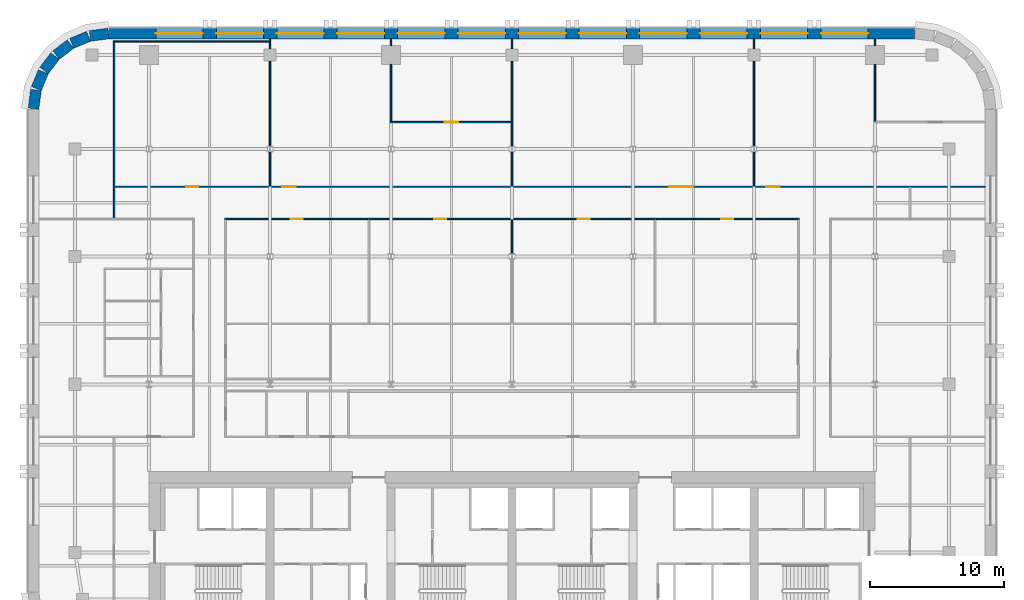
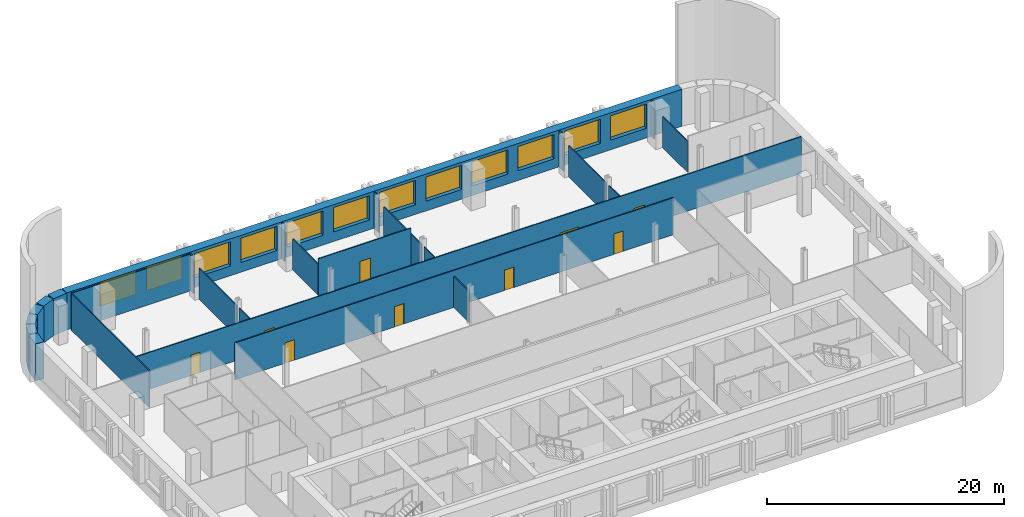
# One storey, part 6 of 9: 26 walls, 12 windows, 9 doors, 21 openings.
"""IFC4 building model written with IfcOpenShell, lengths in metres."""

from ifc_helpers import new_model, si_unit, direction, frame, frame_2d, origin, place, context, subcontext, project, spatial, rectangle, extrude, material, layer, layer_set, type_object, element, fill, save


model = new_model("IFC4")

# Units and contexts
model_context = context("Model", 3, precision=1e-05, world=origin(), true_north=direction((0.0, 1.0)))
body_context = subcontext(model_context, "Body", "Model", "MODEL_VIEW")
ifc_project = project(units=[si_unit("LENGTHUNIT", "METRE"), si_unit("AREAUNIT", "SQUARE_METRE"), si_unit("VOLUMEUNIT", "CUBIC_METRE"), si_unit("PLANEANGLEUNIT", "RADIAN"), si_unit("MASSUNIT", "GRAM", prefix="KILO")], contexts=[model_context])

# Site, building, storey
site_placement = place(None, origin())
site = spatial("IfcSite", under=ifc_project, at=site_placement, CompositionType="ELEMENT")
building_placement = place(site_placement, origin())
building = spatial("IfcBuilding", under=site, at=building_placement, Name="Zellij Exchange Tower", CompositionType="ELEMENT")
storey_placement = place(building_placement, frame((0.0, 0.0, 176.5)))
storey = spatial("IfcBuildingStorey", under=building, at=storey_placement, Name="L40", CompositionType="ELEMENT", Elevation=176.5)

# Wall, openings, windows
ifc_material_1 = material(Name="Precast concrete C40/50", Category="concrete")
ifc_layer_1 = layer(ifc_material_1, 0.800048828125)
ifc_layer_set_1 = layer_set([ifc_layer_1], Name="Precast concrete C40/50")
wall_type_1 = type_object("IfcWallType", Name="ENV-EW1 Precast stone-piered wall 800", PredefinedType="SOLIDWALL", material=ifc_layer_set_1)
wall_1_placement = place(storey_placement, frame((29.947509765625, 30.60009765625, 0.0), z_axis=(0.0, 0.0, 1.0), x_axis=(-1.0, 0.0, 0.0)))
wall_1 = element("IfcWall", 1, at=wall_1_placement, inside=storey, type_object=wall_type_1, Name="fac.L40.14", PredefinedType="SOLIDWALL", context=body_context, shape_type="SweptSolid", body=[
    extrude(rectangle(XDim=59.89501953125, YDim=0.800048828125, at=frame_2d((29.947509765625, 0.0))), origin(), (0.0, 0.0, 1.0), 3.800048828125),
])
opening_1_placement = place(wall_1_placement, frame((3.447509765625, 0.0, 1.0)))
opening_1 = element("IfcOpeningElement", 2, at=opening_1_placement, cuts=wall_1, Name="Opening FZ3.19", PredefinedType="OPENING", context=body_context, shape_type="SweptSolid", body=[
    extrude(rectangle(XDim=3.5, YDim=2.5, at=frame_2d((1.75, 1.25))), frame((0.0, 0.412109375, 0.0), z_axis=(0.0, -1.0, 0.0), x_axis=(1.0, 0.0, 0.0)), (0.0, 0.0, 1.0), 0.823974609375),
])
opening_2_placement = place(wall_1_placement, frame((7.947509765625, 0.0, 1.0)))
opening_2 = element("IfcOpeningElement", 3, at=opening_2_placement, cuts=wall_1, Name="Opening FZ3.20", PredefinedType="OPENING", context=body_context, shape_type="SweptSolid", body=[
    extrude(rectangle(XDim=3.5, YDim=2.5, at=frame_2d((1.75, 1.25))), frame((0.0, 0.412109375, 0.0), z_axis=(0.0, -1.0, 0.0), x_axis=(1.0, 0.0, 0.0)), (0.0, 0.0, 1.0), 0.823974609375),
])
opening_3_placement = place(wall_1_placement, frame((12.447509765625, 0.0, 1.0)))
opening_3 = element("IfcOpeningElement", 4, at=opening_3_placement, cuts=wall_1, Name="Opening FZ3.21", PredefinedType="OPENING", context=body_context, shape_type="SweptSolid", body=[
    extrude(rectangle(XDim=3.5, YDim=2.5, at=frame_2d((1.75, 1.25))), frame((0.0, 0.412109375, 0.0), z_axis=(0.0, -1.0, 0.0), x_axis=(1.0, 0.0, 0.0)), (0.0, 0.0, 1.0), 0.823974609375),
])
opening_4_placement = place(wall_1_placement, frame((16.947509765625, 0.0, 1.0)))
opening_4 = element("IfcOpeningElement", 5, at=opening_4_placement, cuts=wall_1, Name="Opening FZ3.22", PredefinedType="OPENING", context=body_context, shape_type="SweptSolid", body=[
    extrude(rectangle(XDim=3.5, YDim=2.5, at=frame_2d((1.75, 1.25))), frame((0.0, 0.412109375, 0.0), z_axis=(0.0, -1.0, 0.0), x_axis=(1.0, 0.0, 0.0)), (0.0, 0.0, 1.0), 0.823974609375),
])
opening_5_placement = place(wall_1_placement, frame((21.447509765625, 0.0, 1.0)))
opening_5 = element("IfcOpeningElement", 6, at=opening_5_placement, cuts=wall_1, Name="Opening FZ3.23", PredefinedType="OPENING", context=body_context, shape_type="SweptSolid", body=[
    extrude(rectangle(XDim=3.5, YDim=2.5, at=frame_2d((1.75, 1.25))), frame((0.0, 0.412109375, 0.0), z_axis=(0.0, -1.0, 0.0), x_axis=(1.0, 0.0, 0.0)), (0.0, 0.0, 1.0), 0.823974609375),
])
opening_6_placement = place(wall_1_placement, frame((25.947509765625, 0.0, 1.0)))
opening_6 = element("IfcOpeningElement", 7, at=opening_6_placement, cuts=wall_1, Name="Opening FZ3.24", PredefinedType="OPENING", context=body_context, shape_type="SweptSolid", body=[
    extrude(rectangle(XDim=3.5, YDim=2.5, at=frame_2d((1.75, 1.25))), frame((0.0, 0.412109375, 0.0), z_axis=(0.0, -1.0, 0.0), x_axis=(1.0, 0.0, 0.0)), (0.0, 0.0, 1.0), 0.823974609375),
])
opening_7_placement = place(wall_1_placement, frame((30.447509765625, 0.0, 1.0)))
opening_7 = element("IfcOpeningElement", 8, at=opening_7_placement, cuts=wall_1, Name="Opening FZ3.25", PredefinedType="OPENING", context=body_context, shape_type="SweptSolid", body=[
    extrude(rectangle(XDim=3.5, YDim=2.5, at=frame_2d((1.75, 1.25))), frame((0.0, 0.412109375, 0.0), z_axis=(0.0, -1.0, 0.0), x_axis=(1.0, 0.0, 0.0)), (0.0, 0.0, 1.0), 0.823974609375),
])
opening_8_placement = place(wall_1_placement, frame((34.947509765625, 0.0, 1.0)))
opening_8 = element("IfcOpeningElement", 9, at=opening_8_placement, cuts=wall_1, Name="Opening FZ3.26", PredefinedType="OPENING", context=body_context, shape_type="SweptSolid", body=[
    extrude(rectangle(XDim=3.5, YDim=2.5, at=frame_2d((1.75, 1.25))), frame((0.0, 0.412109375, 0.0), z_axis=(0.0, -1.0, 0.0), x_axis=(1.0, 0.0, 0.0)), (0.0, 0.0, 1.0), 0.823974609375),
])
opening_9_placement = place(wall_1_placement, frame((39.447509765625, 0.0, 1.0)))
opening_9 = element("IfcOpeningElement", 10, at=opening_9_placement, cuts=wall_1, Name="Opening FZ3.27", PredefinedType="OPENING", context=body_context, shape_type="SweptSolid", body=[
    extrude(rectangle(XDim=3.5, YDim=2.5, at=frame_2d((1.75, 1.25))), frame((0.0, 0.412109375, 0.0), z_axis=(0.0, -1.0, 0.0), x_axis=(1.0, 0.0, 0.0)), (0.0, 0.0, 1.0), 0.823974609375),
])
opening_10_placement = place(wall_1_placement, frame((43.947509765625, 0.0, 1.0)))
opening_10 = element("IfcOpeningElement", 11, at=opening_10_placement, cuts=wall_1, Name="Opening FZ3.28", PredefinedType="OPENING", context=body_context, shape_type="SweptSolid", body=[
    extrude(rectangle(XDim=3.5, YDim=2.5, at=frame_2d((1.75, 1.25))), frame((0.0, 0.412109375, 0.0), z_axis=(0.0, -1.0, 0.0), x_axis=(1.0, 0.0, 0.0)), (0.0, 0.0, 1.0), 0.823974609375),
])
opening_11_placement = place(wall_1_placement, frame((48.447509765625, 0.0, 1.0)))
opening_11 = element("IfcOpeningElement", 12, at=opening_11_placement, cuts=wall_1, Name="Opening FZ3.29", PredefinedType="OPENING", context=body_context, shape_type="SweptSolid", body=[
    extrude(rectangle(XDim=3.5, YDim=2.5, at=frame_2d((1.75, 1.25))), frame((0.0, 0.412109375, 0.0), z_axis=(0.0, -1.0, 0.0), x_axis=(1.0, 0.0, 0.0)), (0.0, 0.0, 1.0), 0.823974609375),
])
opening_12_placement = place(wall_1_placement, frame((52.947509765625, 0.0, 1.0)))
opening_12 = element("IfcOpeningElement", 13, at=opening_12_placement, cuts=wall_1, Name="Opening FZ3.30", PredefinedType="OPENING", context=body_context, shape_type="SweptSolid", body=[
    extrude(rectangle(XDim=3.5, YDim=2.5, at=frame_2d((1.75, 1.25))), frame((0.0, 0.412109375, 0.0), z_axis=(0.0, -1.0, 0.0), x_axis=(1.0, 0.0, 0.0)), (0.0, 0.0, 1.0), 0.823974609375),
])
ifc_material_2 = material(Name="Aluminium frame with insulating glass", Category="aluminium")
window_type = type_object("IfcWindowType", Name="ENV-W1 Window 3500x2500", PartitioningType="SINGLE_PANEL", PredefinedType="WINDOW", material=ifc_material_2)
window_1_placement = place(opening_1_placement, origin())
window_1 = element("IfcWindow", 14, at=window_1_placement, inside=storey, type_object=window_type, Name="Window FZ3.19", OverallHeight=2.5, OverallWidth=3.5, PartitioningType="SINGLE_PANEL", PredefinedType="WINDOW", context=body_context, shape_type="SweptSolid", body=[
    extrude(rectangle(XDim=3.5, YDim=2.5, at=frame_2d((1.75, 1.25))), frame((0.0, 0.030029296875, 0.0), z_axis=(0.0, -1.0, 0.0), x_axis=(1.0, 0.0, 0.0)), (0.0, 0.0, 1.0), 0.06005859375),
])
fill(opening_1, window_1)
window_2_placement = place(opening_2_placement, origin())
window_2 = element("IfcWindow", 15, at=window_2_placement, inside=storey, type_object=window_type, Name="Window FZ3.20", OverallHeight=2.5, OverallWidth=3.5, PartitioningType="SINGLE_PANEL", PredefinedType="WINDOW", context=body_context, shape_type="SweptSolid", body=[
    extrude(rectangle(XDim=3.5, YDim=2.5, at=frame_2d((1.75, 1.25))), frame((0.0, 0.030029296875, 0.0), z_axis=(0.0, -1.0, 0.0), x_axis=(1.0, 0.0, 0.0)), (0.0, 0.0, 1.0), 0.06005859375),
])
fill(opening_2, window_2)
window_3_placement = place(opening_3_placement, origin())
window_3 = element("IfcWindow", 16, at=window_3_placement, inside=storey, type_object=window_type, Name="Window FZ3.21", OverallHeight=2.5, OverallWidth=3.5, PartitioningType="SINGLE_PANEL", PredefinedType="WINDOW", context=body_context, shape_type="SweptSolid", body=[
    extrude(rectangle(XDim=3.5, YDim=2.5, at=frame_2d((1.75, 1.25))), frame((0.0, 0.030029296875, 0.0), z_axis=(0.0, -1.0, 0.0), x_axis=(1.0, 0.0, 0.0)), (0.0, 0.0, 1.0), 0.06005859375),
])
fill(opening_3, window_3)
window_4_placement = place(opening_4_placement, origin())
window_4 = element("IfcWindow", 17, at=window_4_placement, inside=storey, type_object=window_type, Name="Window FZ3.22", OverallHeight=2.5, OverallWidth=3.5, PartitioningType="SINGLE_PANEL", PredefinedType="WINDOW", context=body_context, shape_type="SweptSolid", body=[
    extrude(rectangle(XDim=3.5, YDim=2.5, at=frame_2d((1.75, 1.25))), frame((0.0, 0.030029296875, 0.0), z_axis=(0.0, -1.0, 0.0), x_axis=(1.0, 0.0, 0.0)), (0.0, 0.0, 1.0), 0.06005859375),
])
fill(opening_4, window_4)
window_5_placement = place(opening_5_placement, origin())
window_5 = element("IfcWindow", 18, at=window_5_placement, inside=storey, type_object=window_type, Name="Window FZ3.23", OverallHeight=2.5, OverallWidth=3.5, PartitioningType="SINGLE_PANEL", PredefinedType="WINDOW", context=body_context, shape_type="SweptSolid", body=[
    extrude(rectangle(XDim=3.5, YDim=2.5, at=frame_2d((1.75, 1.25))), frame((0.0, 0.030029296875, 0.0), z_axis=(0.0, -1.0, 0.0), x_axis=(1.0, 0.0, 0.0)), (0.0, 0.0, 1.0), 0.06005859375),
])
fill(opening_5, window_5)
window_6_placement = place(opening_6_placement, origin())
window_6 = element("IfcWindow", 19, at=window_6_placement, inside=storey, type_object=window_type, Name="Window FZ3.24", OverallHeight=2.5, OverallWidth=3.5, PartitioningType="SINGLE_PANEL", PredefinedType="WINDOW", context=body_context, shape_type="SweptSolid", body=[
    extrude(rectangle(XDim=3.5, YDim=2.5, at=frame_2d((1.75, 1.25))), frame((0.0, 0.030029296875, 0.0), z_axis=(0.0, -1.0, 0.0), x_axis=(1.0, 0.0, 0.0)), (0.0, 0.0, 1.0), 0.06005859375),
])
fill(opening_6, window_6)
window_7_placement = place(opening_7_placement, origin())
window_7 = element("IfcWindow", 20, at=window_7_placement, inside=storey, type_object=window_type, Name="Window FZ3.25", OverallHeight=2.5, OverallWidth=3.5, PartitioningType="SINGLE_PANEL", PredefinedType="WINDOW", context=body_context, shape_type="SweptSolid", body=[
    extrude(rectangle(XDim=3.5, YDim=2.5, at=frame_2d((1.75, 1.25))), frame((0.0, 0.030029296875, 0.0), z_axis=(0.0, -1.0, 0.0), x_axis=(1.0, 0.0, 0.0)), (0.0, 0.0, 1.0), 0.06005859375),
])
fill(opening_7, window_7)
window_8_placement = place(opening_8_placement, origin())
window_8 = element("IfcWindow", 21, at=window_8_placement, inside=storey, type_object=window_type, Name="Window FZ3.26", OverallHeight=2.5, OverallWidth=3.5, PartitioningType="SINGLE_PANEL", PredefinedType="WINDOW", context=body_context, shape_type="SweptSolid", body=[
    extrude(rectangle(XDim=3.5, YDim=2.5, at=frame_2d((1.75, 1.25))), frame((0.0, 0.030029296875, 0.0), z_axis=(0.0, -1.0, 0.0), x_axis=(1.0, 0.0, 0.0)), (0.0, 0.0, 1.0), 0.06005859375),
])
fill(opening_8, window_8)
window_9_placement = place(opening_9_placement, origin())
window_9 = element("IfcWindow", 22, at=window_9_placement, inside=storey, type_object=window_type, Name="Window FZ3.27", OverallHeight=2.5, OverallWidth=3.5, PartitioningType="SINGLE_PANEL", PredefinedType="WINDOW", context=body_context, shape_type="SweptSolid", body=[
    extrude(rectangle(XDim=3.5, YDim=2.5, at=frame_2d((1.75, 1.25))), frame((0.0, 0.030029296875, 0.0), z_axis=(0.0, -1.0, 0.0), x_axis=(1.0, 0.0, 0.0)), (0.0, 0.0, 1.0), 0.06005859375),
])
fill(opening_9, window_9)
window_10_placement = place(opening_10_placement, origin())
window_10 = element("IfcWindow", 23, at=window_10_placement, inside=storey, type_object=window_type, Name="Window FZ3.28", OverallHeight=2.5, OverallWidth=3.5, PartitioningType="SINGLE_PANEL", PredefinedType="WINDOW", context=body_context, shape_type="SweptSolid", body=[
    extrude(rectangle(XDim=3.5, YDim=2.5, at=frame_2d((1.75, 1.25))), frame((0.0, 0.030029296875, 0.0), z_axis=(0.0, -1.0, 0.0), x_axis=(1.0, 0.0, 0.0)), (0.0, 0.0, 1.0), 0.06005859375),
])
fill(opening_10, window_10)
window_11_placement = place(opening_11_placement, origin())
window_11 = element("IfcWindow", 24, at=window_11_placement, inside=storey, type_object=window_type, Name="Window FZ3.29", OverallHeight=2.5, OverallWidth=3.5, PartitioningType="SINGLE_PANEL", PredefinedType="WINDOW", context=body_context, shape_type="SweptSolid", body=[
    extrude(rectangle(XDim=3.5, YDim=2.5, at=frame_2d((1.75, 1.25))), frame((0.0, 0.030029296875, 0.0), z_axis=(0.0, -1.0, 0.0), x_axis=(1.0, 0.0, 0.0)), (0.0, 0.0, 1.0), 0.06005859375),
])
fill(opening_11, window_11)
window_12_placement = place(opening_12_placement, origin())
window_12 = element("IfcWindow", 25, at=window_12_placement, inside=storey, type_object=window_type, Name="Window FZ3.30", OverallHeight=2.5, OverallWidth=3.5, PartitioningType="SINGLE_PANEL", PredefinedType="WINDOW", context=body_context, shape_type="SweptSolid", body=[
    extrude(rectangle(XDim=3.5, YDim=2.5, at=frame_2d((1.75, 1.25))), frame((0.0, 0.030029296875, 0.0), z_axis=(0.0, -1.0, 0.0), x_axis=(1.0, 0.0, 0.0)), (0.0, 0.0, 1.0), 0.06005859375),
])
fill(opening_12, window_12)

# Walls
wall_2_placement = place(storey_placement, frame((-29.999755859375, 30.5966796875, 0.0), z_axis=(0.0, 0.0, 1.0), x_axis=(-0.99144603414, -0.130517283865, 0.0)))
element("IfcWall", 26, at=wall_2_placement, inside=storey, type_object=wall_type_1, Name="fac.L40.15", PredefinedType="SOLIDWALL", context=body_context, shape_type="SweptSolid", body=[
    extrude(rectangle(XDim=1.408447265625, YDim=0.800048828125, at=frame_2d((0.7041015625, 0.0))), origin(), (0.0, 0.0, 1.0), 3.800048828125),
])
wall_3_placement = place(storey_placement, frame((-31.497314453125, 30.3857421875, 0.0), z_axis=(0.0, 0.0, 1.0), x_axis=(-0.923847774587, -0.38276009378, 0.0)))
element("IfcWall", 27, at=wall_3_placement, inside=storey, type_object=wall_type_1, Name="fac.L40.16", PredefinedType="SOLIDWALL", context=body_context, shape_type="SweptSolid", body=[
    extrude(rectangle(XDim=1.35546875, YDim=0.800048828125, at=frame_2d((0.677734375, 0.0))), origin(), (0.0, 0.0, 1.0), 3.800048828125),
])
for number, where, z_axis, x_axis, name in (
    (28, (-32.840087890625, 29.814697265625, 0.0), (0.0, 0.0, 1.0), (-0.793272915452, -0.608866226366, 0.0), "fac.L40.17"),
    (29, (-33.9892578125, 28.91552734375, 0.0), (0.0, 0.0, 1.0), (-0.608866226366, -0.793272915452, 0.0), "fac.L40.18"),
):
    element("IfcWall", number, at=place(storey_placement, frame(where, z_axis=z_axis, x_axis=x_axis)), inside=storey, type_object=wall_type_1, Name=name, PredefinedType="SOLIDWALL", context=body_context, shape_type="SweptSolid", body=[
        extrude(rectangle(XDim=1.355712890625, YDim=0.800048828125, at=frame_2d((0.677734375, 0.0))), origin(), (0.0, 0.0, 1.0), 3.800048828125),
    ])
wall_4_placement = place(storey_placement, frame((-34.866943359375, 27.74951171875, 0.0), z_axis=(0.0, 0.0, 1.0), x_axis=(-0.38276009378, -0.923847774587, 0.0)))
element("IfcWall", 30, at=wall_4_placement, inside=storey, type_object=wall_type_1, Name="fac.L40.19", PredefinedType="SOLIDWALL", context=body_context, shape_type="SweptSolid", body=[
    extrude(rectangle(XDim=1.35546875, YDim=0.800048828125, at=frame_2d((0.677734375, 0.0))), origin(), (0.0, 0.0, 1.0), 3.800048828125),
])
wall_5_placement = place(storey_placement, frame((-35.412841796875, 26.396240234375, 0.0), z_axis=(0.0, 0.0, 1.0), x_axis=(-0.130517283865, -0.99144603414, 0.0)))
element("IfcWall", 31, at=wall_5_placement, inside=storey, type_object=wall_type_1, Name="fac.L40.20", PredefinedType="SOLIDWALL", context=body_context, shape_type="SweptSolid", body=[
    extrude(rectangle(XDim=1.408447265625, YDim=0.800048828125, at=frame_2d((0.7041015625, 0.0))), origin(), (0.0, 0.0, 1.0), 3.800048828125),
])
ifc_material_3 = material(Name="Gypsum board partition on steel studs", Category="steel")
ifc_layer_2 = layer(ifc_material_3, 0.10009765625)
ifc_layer_set_2 = layer_set([ifc_layer_2], Name="Gypsum board partition on steel studs")
wall_type_2 = type_object("IfcWallType", Name="FIT-PARTITION-100", PredefinedType="PARTITIONING", material=ifc_layer_set_2)
wall_6_placement = place(storey_placement, frame((0.0, 14.212158203125, 0.0), z_axis=(0.0, 0.0, 1.0), x_axis=(0.0, 1.0, 0.0)))
element("IfcWall", 32, at=wall_6_placement, inside=storey, type_object=wall_type_2, Name="FIT-PARTITION-100 028", PredefinedType="PARTITIONING", context=body_context, shape_type="SweptSolid", body=[
    extrude(rectangle(XDim=2.537841796875, YDim=0.10009765625, at=frame_2d((1.26904296875, 0.0))), origin(), (0.0, 0.0, 1.0), 3.19287109375),
])
wall_7_placement = place(storey_placement, frame((-29.60009765625, 16.85009765625, 0.0), z_axis=(0.0, 0.0, 1.0), x_axis=(0.0, 1.0, 0.0)))
element("IfcWall", 33, at=wall_7_placement, inside=storey, type_object=wall_type_2, Name="FIT-PARTITION-100 033", PredefinedType="PARTITIONING", context=body_context, shape_type="SweptSolid", body=[
    extrude(rectangle(XDim=13.099853515625, YDim=0.10009765625, at=frame_2d((6.5498046875, 0.0))), origin(), (0.0, 0.0, 1.0), 3.800048828125),
])

# Wall, openings, doors
wall_8_placement = place(storey_placement, frame((-21.35009765625, 16.800048828125, 0.0), z_axis=(0.0, 0.0, 1.0), x_axis=(1.0, 0.0, 0.0)))
wall_8 = element("IfcWall", 34, at=wall_8_placement, inside=storey, type_object=wall_type_2, Name="FIT-PARTITION-100 034", PredefinedType="PARTITIONING", context=body_context, shape_type="SweptSolid", body=[
    extrude(rectangle(XDim=42.7001953125, YDim=0.10009765625, at=frame_2d((21.35009765625, 0.0))), origin(), (0.0, 0.0, 1.0), 3.800048828125),
])
opening_13_placement = place(wall_8_placement, frame((4.89990234375, 0.0, 0.0)))
opening_13 = element("IfcOpeningElement", 35, at=opening_13_placement, cuts=wall_8, Name="Opening O3B.15", PredefinedType="OPENING", context=body_context, shape_type="SweptSolid", body=[
    extrude(rectangle(XDim=0.89990234375, YDim=2.10009765625, at=frame_2d((0.449951171875, 1.050048828125))), frame((0.0, 0.06201171875, 0.0), z_axis=(0.0, -1.0, 0.0), x_axis=(1.0, 0.0, 0.0)), (0.0, 0.0, 1.0), 0.1240234375),
])
opening_14_placement = place(wall_8_placement, frame((15.550048828125, 0.0, 0.0)))
opening_14 = element("IfcOpeningElement", 36, at=opening_14_placement, cuts=wall_8, Name="Opening O3B.16", PredefinedType="OPENING", context=body_context, shape_type="SweptSolid", body=[
    extrude(rectangle(XDim=0.89990234375, YDim=2.10009765625, at=frame_2d((0.449951171875, 1.050048828125))), frame((0.0, 0.06201171875, 0.0), z_axis=(0.0, -1.0, 0.0), x_axis=(1.0, 0.0, 0.0)), (0.0, 0.0, 1.0), 0.1240234375),
])
opening_15_placement = place(wall_8_placement, frame((26.25, 0.0, 0.0)))
opening_15 = element("IfcOpeningElement", 37, at=opening_15_placement, cuts=wall_8, Name="Opening O3B.17", PredefinedType="OPENING", context=body_context, shape_type="SweptSolid", body=[
    extrude(rectangle(XDim=0.89990234375, YDim=2.10009765625, at=frame_2d((0.449951171875, 1.050048828125))), frame((0.0, 0.06201171875, 0.0), z_axis=(0.0, -1.0, 0.0), x_axis=(1.0, 0.0, 0.0)), (0.0, 0.0, 1.0), 0.1240234375),
])
opening_16_placement = place(wall_8_placement, frame((36.89990234375, 0.0, 0.0)))
opening_16 = element("IfcOpeningElement", 38, at=opening_16_placement, cuts=wall_8, Name="Opening O3B.18", PredefinedType="OPENING", context=body_context, shape_type="SweptSolid", body=[
    extrude(rectangle(XDim=0.89990234375, YDim=2.10009765625, at=frame_2d((0.449951171875, 1.050048828125))), frame((0.0, 0.06201171875, 0.0), z_axis=(0.0, -1.0, 0.0), x_axis=(1.0, 0.0, 0.0)), (0.0, 0.0, 1.0), 0.1240234375),
])
ifc_material_4 = material(Name="Timber door set", Category="wood")
door_type_1 = type_object("IfcDoorType", Name="FIT-D1-ROOM-900X2100", OperationType="SINGLE_SWING_LEFT", PredefinedType="DOOR", material=ifc_material_4)
door_1_placement = place(opening_13_placement, origin())
door_1 = element("IfcDoor", 39, at=door_1_placement, inside=storey, type_object=door_type_1, Name="Door O3B.15", OperationType="SINGLE_SWING_LEFT", OverallHeight=2.10009765625, OverallWidth=0.89990234375, PredefinedType="DOOR", context=body_context, shape_type="SweptSolid", body=[
    extrude(rectangle(XDim=0.89990234375, YDim=2.10009765625, at=frame_2d((0.449951171875, 1.050048828125))), frame((0.0, 0.02490234375, 0.0), z_axis=(0.0, -1.0, 0.0), x_axis=(1.0, 0.0, 0.0)), (0.0, 0.0, 1.0), 0.050048828125),
])
fill(opening_13, door_1)
door_2_placement = place(opening_14_placement, origin())
door_2 = element("IfcDoor", 40, at=door_2_placement, inside=storey, type_object=door_type_1, Name="Door O3B.16", OperationType="SINGLE_SWING_LEFT", OverallHeight=2.10009765625, OverallWidth=0.89990234375, PredefinedType="DOOR", context=body_context, shape_type="SweptSolid", body=[
    extrude(rectangle(XDim=0.89990234375, YDim=2.10009765625, at=frame_2d((0.449951171875, 1.050048828125))), frame((0.0, 0.02490234375, 0.0), z_axis=(0.0, -1.0, 0.0), x_axis=(1.0, 0.0, 0.0)), (0.0, 0.0, 1.0), 0.050048828125),
])
fill(opening_14, door_2)
door_3_placement = place(opening_15_placement, origin())
door_3 = element("IfcDoor", 41, at=door_3_placement, inside=storey, type_object=door_type_1, Name="Door O3B.17", OperationType="SINGLE_SWING_RIGHT", OverallHeight=2.10009765625, OverallWidth=0.89990234375, PredefinedType="DOOR", context=body_context, shape_type="SweptSolid", body=[
    extrude(rectangle(XDim=0.89990234375, YDim=2.10009765625, at=frame_2d((0.449951171875, 1.050048828125))), frame((0.0, 0.02490234375, 0.0), z_axis=(0.0, -1.0, 0.0), x_axis=(1.0, 0.0, 0.0)), (0.0, 0.0, 1.0), 0.050048828125),
])
fill(opening_15, door_3)
door_4_placement = place(opening_16_placement, origin())
door_4 = element("IfcDoor", 42, at=door_4_placement, inside=storey, type_object=door_type_1, Name="Door O3B.18", OperationType="SINGLE_SWING_RIGHT", OverallHeight=2.10009765625, OverallWidth=0.89990234375, PredefinedType="DOOR", context=body_context, shape_type="SweptSolid", body=[
    extrude(rectangle(XDim=0.89990234375, YDim=2.10009765625, at=frame_2d((0.449951171875, 1.050048828125))), frame((0.0, 0.02490234375, 0.0), z_axis=(0.0, -1.0, 0.0), x_axis=(1.0, 0.0, 0.0)), (0.0, 0.0, 1.0), 0.050048828125),
])
fill(opening_16, door_4)

wall_9_placement = place(storey_placement, frame((-29.550048828125, 19.199951171875, 0.0), z_axis=(0.0, 0.0, 1.0), x_axis=(1.0, 0.0, 0.0)))
wall_9 = element("IfcWall", 43, at=wall_9_placement, inside=storey, type_object=wall_type_2, Name="FIT-PARTITION-100 037", PredefinedType="PARTITIONING", context=body_context, shape_type="SweptSolid", body=[
    extrude(rectangle(XDim=64.75, YDim=0.10009765625, at=frame_2d((32.375, 0.0))), origin(), (0.0, 0.0, 1.0), 3.800048828125),
])
opening_17_placement = place(wall_9_placement, frame((5.300048828125, 0.0, 0.0)))
opening_17 = element("IfcOpeningElement", 44, at=opening_17_placement, cuts=wall_9, Name="Opening O3B.19", PredefinedType="OPENING", context=body_context, shape_type="SweptSolid", body=[
    extrude(rectangle(XDim=0.89990234375, YDim=2.10009765625, at=frame_2d((0.449951171875, 1.050048828125))), frame((0.0, 0.06201171875, 0.0), z_axis=(0.0, -1.0, 0.0), x_axis=(1.0, 0.0, 0.0)), (0.0, 0.0, 1.0), 0.1240234375),
])
opening_18_placement = place(wall_9_placement, frame((12.449951171875, 0.0, 0.0)))
opening_18 = element("IfcOpeningElement", 45, at=opening_18_placement, cuts=wall_9, Name="Opening O3B.20", PredefinedType="OPENING", context=body_context, shape_type="SweptSolid", body=[
    extrude(rectangle(XDim=1.0, YDim=2.10009765625, at=frame_2d((0.5, 1.050048828125))), frame((0.0, 0.06201171875, 0.0), z_axis=(0.0, -1.0, 0.0), x_axis=(1.0, 0.0, 0.0)), (0.0, 0.0, 1.0), 0.1240234375),
])
opening_19_placement = place(wall_9_placement, frame((41.25, 0.0, 0.0)))
opening_19 = element("IfcOpeningElement", 46, at=opening_19_placement, cuts=wall_9, Name="Opening O3B.21", PredefinedType="OPENING", context=body_context, shape_type="SweptSolid", body=[
    extrude(rectangle(XDim=1.800048828125, YDim=2.10009765625, at=frame_2d((0.89990234375, 1.050048828125))), frame((0.0, 0.06201171875, 0.0), z_axis=(0.0, -1.0, 0.0), x_axis=(1.0, 0.0, 0.0)), (0.0, 0.0, 1.0), 0.1240234375),
])
opening_20_placement = place(wall_9_placement, frame((48.449951171875, 0.0, 0.0)))
opening_20 = element("IfcOpeningElement", 47, at=opening_20_placement, cuts=wall_9, Name="Opening O3B.22", PredefinedType="OPENING", context=body_context, shape_type="SweptSolid", body=[
    extrude(rectangle(XDim=1.0, YDim=2.10009765625, at=frame_2d((0.5, 1.050048828125))), frame((0.0, 0.06201171875, 0.0), z_axis=(0.0, -1.0, 0.0), x_axis=(1.0, 0.0, 0.0)), (0.0, 0.0, 1.0), 0.1240234375),
])
door_5_placement = place(opening_17_placement, origin())
door_5 = element("IfcDoor", 48, at=door_5_placement, inside=storey, type_object=door_type_1, Name="Door O3B.19", OperationType="SINGLE_SWING_RIGHT", OverallHeight=2.10009765625, OverallWidth=0.89990234375, PredefinedType="DOOR", context=body_context, shape_type="SweptSolid", body=[
    extrude(rectangle(XDim=0.89990234375, YDim=2.10009765625, at=frame_2d((0.449951171875, 1.050048828125))), frame((0.0, 0.02490234375, 0.0), z_axis=(0.0, -1.0, 0.0), x_axis=(1.0, 0.0, 0.0)), (0.0, 0.0, 1.0), 0.050048828125),
])
fill(opening_17, door_5)
door_type_2 = type_object("IfcDoorType", Name="FIT-D2-WIDE-1000X2100", OperationType="SINGLE_SWING_LEFT", PredefinedType="DOOR", material=ifc_material_4)
door_6_placement = place(opening_18_placement, origin())
door_6 = element("IfcDoor", 49, at=door_6_placement, inside=storey, type_object=door_type_2, Name="Door O3B.20", OperationType="SINGLE_SWING_RIGHT", OverallHeight=2.10009765625, OverallWidth=1.0, PredefinedType="DOOR", context=body_context, shape_type="SweptSolid", body=[
    extrude(rectangle(XDim=1.0, YDim=2.10009765625, at=frame_2d((0.5, 1.050048828125))), frame((0.0, 0.02490234375, 0.0), z_axis=(0.0, -1.0, 0.0), x_axis=(1.0, 0.0, 0.0)), (0.0, 0.0, 1.0), 0.050048828125),
])
fill(opening_18, door_6)
door_7_placement = place(opening_20_placement, origin())
door_7 = element("IfcDoor", 50, at=door_7_placement, inside=storey, type_object=door_type_2, Name="Door O3B.22", OperationType="SINGLE_SWING_RIGHT", OverallHeight=2.10009765625, OverallWidth=1.0, PredefinedType="DOOR", context=body_context, shape_type="SweptSolid", body=[
    extrude(rectangle(XDim=1.0, YDim=2.10009765625, at=frame_2d((0.5, 1.050048828125))), frame((0.0, 0.02490234375, 0.0), z_axis=(0.0, -1.0, 0.0), x_axis=(1.0, 0.0, 0.0)), (0.0, 0.0, 1.0), 0.050048828125),
])
fill(opening_20, door_7)
door_type_3 = type_object("IfcDoorType", Name="FIT-D3-DOUBLE-1800X2100", OperationType="DOUBLE_DOOR_SINGLE_SWING", PredefinedType="DOOR", material=ifc_material_4)
door_8_placement = place(opening_19_placement, origin())
door_8 = element("IfcDoor", 51, at=door_8_placement, inside=storey, type_object=door_type_3, Name="Door O3B.21", OperationType="DOUBLE_DOOR_SINGLE_SWING", OverallHeight=2.10009765625, OverallWidth=1.800048828125, PredefinedType="DOOR", context=body_context, shape_type="SweptSolid", body=[
    extrude(rectangle(XDim=1.800048828125, YDim=2.10009765625, at=frame_2d((0.89990234375, 1.050048828125))), frame((0.0, 0.02490234375, 0.0), z_axis=(0.0, -1.0, 0.0), x_axis=(1.0, 0.0, 0.0)), (0.0, 0.0, 1.0), 0.050048828125),
])
fill(opening_19, door_8)

# Walls
wall_10_placement = place(storey_placement, frame((-18.0, 19.25, 0.0), z_axis=(0.0, 0.0, 1.0), x_axis=(0.0, 1.0, 0.0)))
element("IfcWall", 52, at=wall_10_placement, inside=storey, type_object=wall_type_2, Name="FIT-PARTITION-100 038", PredefinedType="PARTITIONING", context=body_context, shape_type="SweptSolid", body=[
    extrude(rectangle(XDim=2.537841796875, YDim=0.10009765625, at=frame_2d((1.26904296875, 0.0))), origin(), (0.0, 0.0, 1.0), 3.19287109375),
])
wall_11_placement = place(storey_placement, frame((-18.0, 22.212158203125, 0.0), z_axis=(0.0, 0.0, 1.0), x_axis=(0.0, 1.0, 0.0)))
element("IfcWall", 53, at=wall_11_placement, inside=storey, type_object=wall_type_2, Name="FIT-PARTITION-100 039", PredefinedType="PARTITIONING", context=body_context, shape_type="SweptSolid", body=[
    extrude(rectangle(XDim=6.337890625, YDim=0.10009765625, at=frame_2d((3.1689453125, 0.0))), origin(), (0.0, 0.0, 1.0), 3.19287109375),
])
wall_12_placement = place(storey_placement, frame((-18.0, 29.449951171875, 0.0), z_axis=(0.0, 0.0, 1.0), x_axis=(0.0, 1.0, 0.0)))
element("IfcWall", 54, at=wall_12_placement, inside=storey, type_object=wall_type_2, Name="FIT-PARTITION-100 040", PredefinedType="PARTITIONING", context=body_context, shape_type="SweptSolid", body=[
    extrude(rectangle(XDim=0.75, YDim=0.10009765625, at=frame_2d((0.375, 0.0))), origin(), (0.0, 0.0, 1.0), 3.800048828125),
])
wall_13_placement = place(storey_placement, frame((0.0, 19.25, 0.0), z_axis=(0.0, 0.0, 1.0), x_axis=(0.0, 1.0, 0.0)))
element("IfcWall", 55, at=wall_13_placement, inside=storey, type_object=wall_type_2, Name="FIT-PARTITION-100 041", PredefinedType="PARTITIONING", context=body_context, shape_type="SweptSolid", body=[
    extrude(rectangle(XDim=2.537841796875, YDim=0.10009765625, at=frame_2d((1.26904296875, 0.0))), origin(), (0.0, 0.0, 1.0), 3.19287109375),
])
wall_14_placement = place(storey_placement, frame((0.0, 22.212158203125, 0.0), z_axis=(0.0, 0.0, 1.0), x_axis=(0.0, 1.0, 0.0)))
element("IfcWall", 56, at=wall_14_placement, inside=storey, type_object=wall_type_2, Name="FIT-PARTITION-100 042", PredefinedType="PARTITIONING", context=body_context, shape_type="SweptSolid", body=[
    extrude(rectangle(XDim=6.337890625, YDim=0.10009765625, at=frame_2d((3.1689453125, 0.0))), origin(), (0.0, 0.0, 1.0), 3.19287109375),
])
wall_15_placement = place(storey_placement, frame((0.0, 29.449951171875, 0.0), z_axis=(0.0, 0.0, 1.0), x_axis=(0.0, 1.0, 0.0)))
element("IfcWall", 57, at=wall_15_placement, inside=storey, type_object=wall_type_2, Name="FIT-PARTITION-100 043", PredefinedType="PARTITIONING", context=body_context, shape_type="SweptSolid", body=[
    extrude(rectangle(XDim=0.75, YDim=0.10009765625, at=frame_2d((0.375, 0.0))), origin(), (0.0, 0.0, 1.0), 3.800048828125),
])
wall_16_placement = place(storey_placement, frame((18.0, 19.25, 0.0), z_axis=(0.0, 0.0, 1.0), x_axis=(0.0, 1.0, 0.0)))
element("IfcWall", 58, at=wall_16_placement, inside=storey, type_object=wall_type_2, Name="FIT-PARTITION-100 044", PredefinedType="PARTITIONING", context=body_context, shape_type="SweptSolid", body=[
    extrude(rectangle(XDim=2.537841796875, YDim=0.10009765625, at=frame_2d((1.26904296875, 0.0))), origin(), (0.0, 0.0, 1.0), 3.19287109375),
])
wall_17_placement = place(storey_placement, frame((18.0, 22.212158203125, 0.0), z_axis=(0.0, 0.0, 1.0), x_axis=(0.0, 1.0, 0.0)))
element("IfcWall", 59, at=wall_17_placement, inside=storey, type_object=wall_type_2, Name="FIT-PARTITION-100 045", PredefinedType="PARTITIONING", context=body_context, shape_type="SweptSolid", body=[
    extrude(rectangle(XDim=6.337890625, YDim=0.10009765625, at=frame_2d((3.1689453125, 0.0))), origin(), (0.0, 0.0, 1.0), 3.19287109375),
])
wall_18_placement = place(storey_placement, frame((18.0, 29.449951171875, 0.0), z_axis=(0.0, 0.0, 1.0), x_axis=(0.0, 1.0, 0.0)))
element("IfcWall", 60, at=wall_18_placement, inside=storey, type_object=wall_type_2, Name="FIT-PARTITION-100 046", PredefinedType="PARTITIONING", context=body_context, shape_type="SweptSolid", body=[
    extrude(rectangle(XDim=0.75, YDim=0.10009765625, at=frame_2d((0.375, 0.0))), origin(), (0.0, 0.0, 1.0), 3.800048828125),
])

# Wall, opening, door
wall_19_placement = place(storey_placement, frame((-9.050048828125, 24.0, 0.0), z_axis=(0.0, 0.0, 1.0), x_axis=(1.0, 0.0, 0.0)))
wall_19 = element("IfcWall", 61, at=wall_19_placement, inside=storey, type_object=wall_type_2, Name="FIT-PARTITION-100 047", PredefinedType="PARTITIONING", context=body_context, shape_type="SweptSolid", body=[
    extrude(rectangle(XDim=9.0, YDim=0.10009765625, at=frame_2d((4.5, 0.0))), origin(), (0.0, 0.0, 1.0), 3.800048828125),
])
opening_21_placement = place(wall_19_placement, frame((4.050048828125, 0.0, 0.0)))
opening_21 = element("IfcOpeningElement", 62, at=opening_21_placement, cuts=wall_19, Name="Opening O3B.23", PredefinedType="OPENING", context=body_context, shape_type="SweptSolid", body=[
    extrude(rectangle(XDim=1.0, YDim=2.10009765625, at=frame_2d((0.5, 1.050048828125))), frame((0.0, 0.06201171875, 0.0), z_axis=(0.0, -1.0, 0.0), x_axis=(1.0, 0.0, 0.0)), (0.0, 0.0, 1.0), 0.1240234375),
])
door_9_placement = place(opening_21_placement, origin())
door_9 = element("IfcDoor", 63, at=door_9_placement, inside=storey, type_object=door_type_2, Name="Door O3B.23", OperationType="SINGLE_SWING_RIGHT", OverallHeight=2.10009765625, OverallWidth=1.0, PredefinedType="DOOR", context=body_context, shape_type="SweptSolid", body=[
    extrude(rectangle(XDim=1.0, YDim=2.10009765625, at=frame_2d((0.5, 1.050048828125))), frame((0.0, 0.02490234375, 0.0), z_axis=(0.0, -1.0, 0.0), x_axis=(1.0, 0.0, 0.0)), (0.0, 0.0, 1.0), 0.050048828125),
])
fill(opening_21, door_9)

# Walls
wall_20_placement = place(storey_placement, frame((-9.0, 24.050048828125, 0.0), z_axis=(0.0, 0.0, 1.0), x_axis=(0.0, 1.0, 0.0)))
element("IfcWall", 64, at=wall_20_placement, inside=storey, type_object=wall_type_2, Name="FIT-PARTITION-100 048", PredefinedType="PARTITIONING", context=body_context, shape_type="SweptSolid", body=[
    extrude(rectangle(XDim=4.25, YDim=0.10009765625, at=frame_2d((2.125, 0.0))), origin(), (0.0, 0.0, 1.0), 3.19287109375),
])
wall_21_placement = place(storey_placement, frame((-9.0, 29.699951171875, 0.0), z_axis=(0.0, 0.0, 1.0), x_axis=(0.0, 1.0, 0.0)))
element("IfcWall", 65, at=wall_21_placement, inside=storey, type_object=wall_type_2, Name="FIT-PARTITION-100 049", PredefinedType="PARTITIONING", context=body_context, shape_type="SweptSolid", body=[
    extrude(rectangle(XDim=0.5, YDim=0.10009765625, at=frame_2d((0.25, 0.0))), origin(), (0.0, 0.0, 1.0), 3.800048828125),
])
wall_22_placement = place(storey_placement, frame((27.0, 24.050048828125, 0.0), z_axis=(0.0, 0.0, 1.0), x_axis=(0.0, 1.0, 0.0)))
element("IfcWall", 66, at=wall_22_placement, inside=storey, type_object=wall_type_2, Name="FIT-PARTITION-100 051", PredefinedType="PARTITIONING", context=body_context, shape_type="SweptSolid", body=[
    extrude(rectangle(XDim=4.25, YDim=0.10009765625, at=frame_2d((2.125, 0.0))), origin(), (0.0, 0.0, 1.0), 3.19287109375),
])
wall_23_placement = place(storey_placement, frame((27.0, 29.699951171875, 0.0), z_axis=(0.0, 0.0, 1.0), x_axis=(0.0, 1.0, 0.0)))
element("IfcWall", 67, at=wall_23_placement, inside=storey, type_object=wall_type_2, Name="FIT-PARTITION-100 052", PredefinedType="PARTITIONING", context=body_context, shape_type="SweptSolid", body=[
    extrude(rectangle(XDim=0.5, YDim=0.10009765625, at=frame_2d((0.25, 0.0))), origin(), (0.0, 0.0, 1.0), 3.800048828125),
])
wall_24_placement = place(storey_placement, frame((-29.64990234375, 30.0, 0.0), z_axis=(0.0, 0.0, 1.0), x_axis=(1.0, 0.0, 0.0)))
element("IfcWall", 68, at=wall_24_placement, inside=storey, type_object=wall_type_2, Name="FIT-PARTITION-100 053", PredefinedType="PARTITIONING", context=body_context, shape_type="SweptSolid", body=[
    extrude(rectangle(XDim=11.599853515625, YDim=0.10009765625, at=frame_2d((5.7998046875, 0.0))), origin(), (0.0, 0.0, 1.0), 3.800048828125),
])

save(model, "model.ifc")
